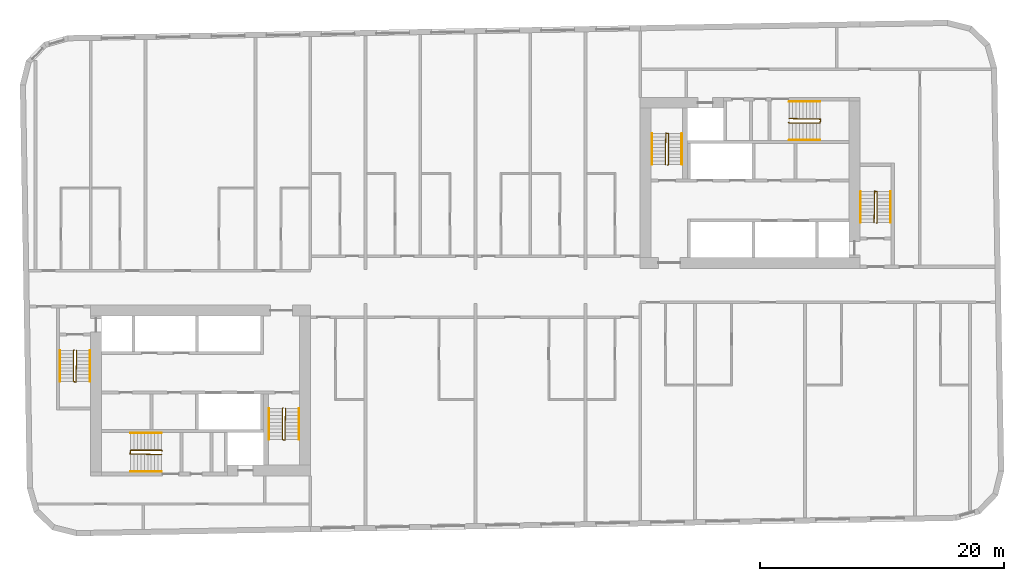
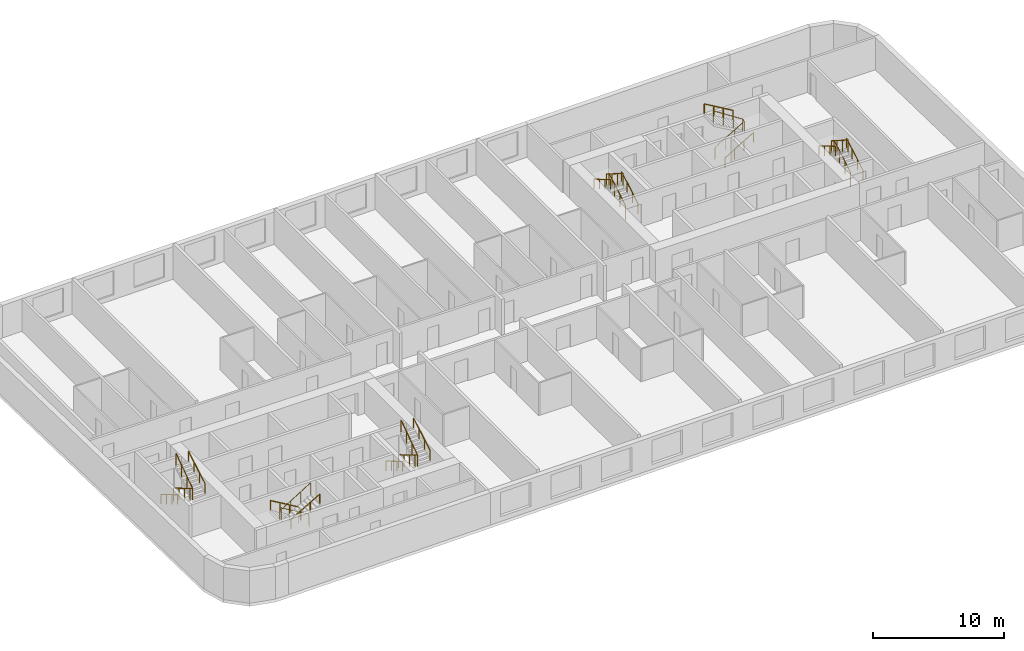
# One storey, part 11 of 11: 18 railings.
"""IFC4 building model written with IfcOpenShell, lengths in metres."""

from ifc_helpers import new_model, si_unit, direction, frame, origin, origin_2d, place, context, subcontext, project, spatial, circle, extrude, material, type_object, element, save


model = new_model("IFC4")

# Units and contexts
model_context = context("Model", 3, precision=1e-05, world=origin(), true_north=direction((0.0, 1.0)))
body_context = subcontext(model_context, "Body", "Model", "MODEL_VIEW")
ifc_project = project(units=[si_unit("LENGTHUNIT", "METRE"), si_unit("AREAUNIT", "SQUARE_METRE"), si_unit("VOLUMEUNIT", "CUBIC_METRE"), si_unit("PLANEANGLEUNIT", "RADIAN"), si_unit("MASSUNIT", "GRAM", prefix="KILO")], contexts=[model_context])

# Site, building, storey
site_placement = place(None, origin())
site = spatial("IfcSite", under=ifc_project, at=site_placement, CompositionType="ELEMENT")
building_placement = place(site_placement, origin())
building = spatial("IfcBuilding", under=site, at=building_placement, Name="Kajstack Hotel Tower", CompositionType="ELEMENT")
storey_placement = place(building_placement, frame((0.0, 0.0, 224.300048828125)))
storey = spatial("IfcBuildingStorey", under=building, at=storey_placement, Name="L54", CompositionType="ELEMENT", Elevation=224.300048828125)

# Railings
ifc_material = material(Name="Steel S355J2", Category="steel")
railing_type_1 = type_object("IfcRailingType", Name="Stair guard 1100", PredefinedType="GUARDRAIL", material=ifc_material)
railing_1_placement = place(storey_placement, frame((-32.85009765625, -5.199951171875, 0.0)))
element("IfcRailing", 1, at=railing_1_placement, inside=storey, type_object=railing_type_1, Name="L54 W1 stair guard 1", PredefinedType="GUARDRAIL", context=body_context, shape_type="SweptSolid", body=[
    extrude(circle(Radius=0.02392578125, at=origin_2d()), frame((0.0, 0.0, 1.076171875), z_axis=(-0.277450376394, -0.278810427259, 0.919394384522), x_axis=(0.708833529934, -0.705375805398, 0.0)), (0.0, 0.0, 1.0), 0.179443359375),
    extrude(circle(Radius=0.02392578125, at=origin_2d()), frame((-0.0498046875, -0.050048828125, 1.2412109375), z_axis=(0.0, -0.861560626758, 0.507654692109), x_axis=(1.0, 0.0, 0.0)), (0.0, 0.0, 1.0), 2.925048828125),
    extrude(circle(Radius=0.02392578125, at=origin_2d()), frame((-0.0498046875, -2.570068359375, 2.72607421875), z_axis=(0.970072785993, -0.242814311512, 0.0), x_axis=(0.242814311512, 0.970072785993, 0.0)), (0.0, 0.0, 1.0), 0.2060546875),
    extrude(circle(Radius=0.02392578125, at=origin_2d()), frame((0.150146484375, -2.6201171875, 2.72607421875), z_axis=(0.016384601254, 0.84136925563, 0.540212292087), x_axis=(-0.999810440751, 0.019470042781, 0.0)), (0.0, 0.0, 1.0), 3.0546875),
    extrude(circle(Radius=0.02099609375, at=origin_2d()), origin(), (0.0, 0.0, 1.0), 1.052001953125),
    extrude(circle(Radius=0.02099609375, at=origin_2d()), frame((-0.0498046875, -0.050048828125, 0.1650390625)), (0.0, 0.0, 1.0), 1.052001953125),
    extrude(circle(Radius=0.02099609375, at=origin_2d()), frame((-0.0498046875, -0.89013671875, 0.659912109375)), (0.0, 0.0, 1.0), 1.052001953125),
    extrude(circle(Radius=0.02099609375, at=origin_2d()), frame((-0.0498046875, -1.72998046875, 1.155029296875)), (0.0, 0.0, 1.0), 1.052001953125),
    extrude(circle(Radius=0.02099609375, at=origin_2d()), frame((-0.0498046875, -2.570068359375, 1.64990234375)), (0.0, 0.0, 1.0), 1.052001953125),
    extrude(circle(Radius=0.02099609375, at=origin_2d()), frame((0.150146484375, -2.6201171875, 1.64990234375)), (0.0, 0.0, 1.0), 1.052001953125),
    extrude(circle(Radius=0.02099609375, at=origin_2d()), frame((0.166748046875, -1.763427734375, 2.199951171875)), (0.0, 0.0, 1.0), 1.052001953125),
    extrude(circle(Radius=0.02099609375, at=origin_2d()), frame((0.18359375, -0.90673828125, 2.75)), (0.0, 0.0, 1.0), 1.052001953125),
    extrude(circle(Radius=0.02099609375, at=origin_2d()), frame((0.2001953125, -0.050048828125, 3.300048828125)), (0.0, 0.0, 1.0), 1.052001953125),
])
railing_2_placement = place(storey_placement, frame((-15.75, -9.949951171875, 0.0)))
element("IfcRailing", 2, at=railing_2_placement, inside=storey, type_object=railing_type_1, Name="L54 W2 stair guard 1", PredefinedType="GUARDRAIL", context=body_context, shape_type="SweptSolid", body=[
    extrude(circle(Radius=0.02392578125, at=origin_2d()), frame((0.0, 0.0, 1.076171875), z_axis=(-0.278705021027, -0.278705021027, 0.919046801044), x_axis=(0.707106781187, -0.707106781187, 0.0)), (0.0, 0.0, 1.0), 0.1796875),
    extrude(circle(Radius=0.02392578125, at=origin_2d()), frame((-0.050048828125, -0.050048828125, 1.2412109375), z_axis=(0.0, -0.861560626758, 0.507654692109), x_axis=(1.0, 0.0, 0.0)), (0.0, 0.0, 1.0), 2.925048828125),
    extrude(circle(Radius=0.02392578125, at=origin_2d()), frame((-0.050048828125, -2.570068359375, 2.72607421875), z_axis=(0.970072785993, -0.242814311512, 0.0), x_axis=(0.242814311512, 0.970072785993, 0.0)), (0.0, 0.0, 1.0), 0.2060546875),
    extrude(circle(Radius=0.02392578125, at=origin_2d()), frame((0.14990234375, -2.6201171875, 2.72607421875), z_axis=(0.016384601254, 0.84136925563, 0.540212292087), x_axis=(-0.999810440751, 0.019470042781, 0.0)), (0.0, 0.0, 1.0), 3.0546875),
    extrude(circle(Radius=0.02099609375, at=origin_2d()), origin(), (0.0, 0.0, 1.0), 1.052001953125),
    extrude(circle(Radius=0.02099609375, at=origin_2d()), frame((-0.050048828125, -0.050048828125, 0.1650390625)), (0.0, 0.0, 1.0), 1.052001953125),
    extrude(circle(Radius=0.02099609375, at=origin_2d()), frame((-0.050048828125, -0.89013671875, 0.659912109375)), (0.0, 0.0, 1.0), 1.052001953125),
    extrude(circle(Radius=0.02099609375, at=origin_2d()), frame((-0.050048828125, -1.72998046875, 1.155029296875)), (0.0, 0.0, 1.0), 1.052001953125),
    extrude(circle(Radius=0.02099609375, at=origin_2d()), frame((-0.050048828125, -2.570068359375, 1.64990234375)), (0.0, 0.0, 1.0), 1.052001953125),
    extrude(circle(Radius=0.02099609375, at=origin_2d()), frame((0.14990234375, -2.6201171875, 1.64990234375)), (0.0, 0.0, 1.0), 1.052001953125),
    extrude(circle(Radius=0.02099609375, at=origin_2d()), frame((0.16650390625, -1.763427734375, 2.199951171875)), (0.0, 0.0, 1.0), 1.052001953125),
    extrude(circle(Radius=0.02099609375, at=origin_2d()), frame((0.183349609375, -0.90673828125, 2.75)), (0.0, 0.0, 1.0), 1.052001953125),
    extrude(circle(Radius=0.02099609375, at=origin_2d()), frame((0.199951171875, -0.050048828125, 3.300048828125)), (0.0, 0.0, 1.0), 1.052001953125),
])
railing_3_placement = place(storey_placement, frame((-25.64990234375, -13.449951171875, 0.0)))
element("IfcRailing", 3, at=railing_3_placement, inside=storey, type_object=railing_type_1, Name="L54 W3 stair guard 1", PredefinedType="GUARDRAIL", context=body_context, shape_type="SweptSolid", body=[
    extrude(circle(Radius=0.02392578125, at=origin_2d()), frame((0.0, 0.0, 1.076171875), z_axis=(-0.278705021027, 0.278705021027, 0.919046801044), x_axis=(-0.707106781187, -0.707106781187, 0.0)), (0.0, 0.0, 1.0), 0.1796875),
    extrude(circle(Radius=0.02392578125, at=origin_2d()), frame((-0.050048828125, 0.050048828125, 1.2412109375), z_axis=(-0.861560626758, 0.0, 0.507654692109), x_axis=(0.0, -1.0, 0.0)), (0.0, 0.0, 1.0), 2.925048828125),
    extrude(circle(Radius=0.02392578125, at=origin_2d()), frame((-2.570068359375, 0.050048828125, 2.72607421875), z_axis=(-0.164529134168, -0.986372223864, 0.0), x_axis=(0.986372223864, -0.164529134168, 0.0)), (0.0, 0.0, 1.0), 0.30419921875),
    extrude(circle(Radius=0.02392578125, at=origin_2d()), frame((-2.6201171875, -0.25, 2.72607421875), z_axis=(0.84136925563, -0.016384601254, 0.540212292087), x_axis=(0.019470042781, 0.999810440751, 0.0)), (0.0, 0.0, 1.0), 3.0546875),
    extrude(circle(Radius=0.02099609375, at=origin_2d()), origin(), (0.0, 0.0, 1.0), 1.052001953125),
    extrude(circle(Radius=0.02099609375, at=origin_2d()), frame((-0.050048828125, 0.050048828125, 0.1650390625)), (0.0, 0.0, 1.0), 1.052001953125),
    extrude(circle(Radius=0.02099609375, at=origin_2d()), frame((-0.89013671875, 0.050048828125, 0.659912109375)), (0.0, 0.0, 1.0), 1.052001953125),
    extrude(circle(Radius=0.02099609375, at=origin_2d()), frame((-1.72998046875, 0.050048828125, 1.155029296875)), (0.0, 0.0, 1.0), 1.052001953125),
    extrude(circle(Radius=0.02099609375, at=origin_2d()), frame((-2.570068359375, 0.050048828125, 1.64990234375)), (0.0, 0.0, 1.0), 1.052001953125),
    extrude(circle(Radius=0.02099609375, at=origin_2d()), frame((-2.6201171875, -0.25, 1.64990234375)), (0.0, 0.0, 1.0), 1.052001953125),
    extrude(circle(Radius=0.02099609375, at=origin_2d()), frame((-1.763427734375, -0.2666015625, 2.199951171875)), (0.0, 0.0, 1.0), 1.052001953125),
    extrude(circle(Radius=0.02099609375, at=origin_2d()), frame((-0.90673828125, -0.283447265625, 2.75)), (0.0, 0.0, 1.0), 1.052001953125),
    extrude(circle(Radius=0.02099609375, at=origin_2d()), frame((-0.050048828125, -0.300048828125, 3.300048828125)), (0.0, 0.0, 1.0), 1.052001953125),
])
railing_4_placement = place(storey_placement, frame((32.85009765625, 5.199951171875, 0.0)))
element("IfcRailing", 4, at=railing_4_placement, inside=storey, type_object=railing_type_1, Name="L54 E1 stair guard 1", PredefinedType="GUARDRAIL", context=body_context, shape_type="SweptSolid", body=[
    extrude(circle(Radius=0.02392578125, at=origin_2d()), frame((0.0, 0.0, 1.076171875), z_axis=(0.277450376394, 0.278810427259, 0.919394384522), x_axis=(-0.708833529934, 0.705375805398, 0.0)), (0.0, 0.0, 1.0), 0.179443359375),
    extrude(circle(Radius=0.02392578125, at=origin_2d()), frame((0.0498046875, 0.050048828125, 1.2412109375), z_axis=(0.0, 0.861560626758, 0.507654692109), x_axis=(-1.0, 0.0, 0.0)), (0.0, 0.0, 1.0), 2.925048828125),
    extrude(circle(Radius=0.02392578125, at=origin_2d()), frame((0.0498046875, 2.570068359375, 2.72607421875), z_axis=(-0.970072785993, 0.242814311512, 0.0), x_axis=(-0.242814311512, -0.970072785993, 0.0)), (0.0, 0.0, 1.0), 0.2060546875),
    extrude(circle(Radius=0.02392578125, at=origin_2d()), frame((-0.150146484375, 2.6201171875, 2.72607421875), z_axis=(-0.016384601254, -0.84136925563, 0.540212292087), x_axis=(0.999810440751, -0.019470042781, 0.0)), (0.0, 0.0, 1.0), 3.0546875),
    extrude(circle(Radius=0.02099609375, at=origin_2d()), origin(), (0.0, 0.0, 1.0), 1.052001953125),
    extrude(circle(Radius=0.02099609375, at=origin_2d()), frame((0.0498046875, 0.050048828125, 0.1650390625)), (0.0, 0.0, 1.0), 1.052001953125),
    extrude(circle(Radius=0.02099609375, at=origin_2d()), frame((0.0498046875, 0.89013671875, 0.659912109375)), (0.0, 0.0, 1.0), 1.052001953125),
    extrude(circle(Radius=0.02099609375, at=origin_2d()), frame((0.0498046875, 1.72998046875, 1.155029296875)), (0.0, 0.0, 1.0), 1.052001953125),
    extrude(circle(Radius=0.02099609375, at=origin_2d()), frame((0.0498046875, 2.570068359375, 1.64990234375)), (0.0, 0.0, 1.0), 1.052001953125),
    extrude(circle(Radius=0.02099609375, at=origin_2d()), frame((-0.150146484375, 2.6201171875, 1.64990234375)), (0.0, 0.0, 1.0), 1.052001953125),
    extrude(circle(Radius=0.02099609375, at=origin_2d()), frame((-0.166748046875, 1.763427734375, 2.199951171875)), (0.0, 0.0, 1.0), 1.052001953125),
    extrude(circle(Radius=0.02099609375, at=origin_2d()), frame((-0.18359375, 0.90673828125, 2.75)), (0.0, 0.0, 1.0), 1.052001953125),
    extrude(circle(Radius=0.02099609375, at=origin_2d()), frame((-0.2001953125, 0.050048828125, 3.300048828125)), (0.0, 0.0, 1.0), 1.052001953125),
])
railing_5_placement = place(storey_placement, frame((15.75, 9.949951171875, 0.0)))
element("IfcRailing", 5, at=railing_5_placement, inside=storey, type_object=railing_type_1, Name="L54 E2 stair guard 1", PredefinedType="GUARDRAIL", context=body_context, shape_type="SweptSolid", body=[
    extrude(circle(Radius=0.02392578125, at=origin_2d()), frame((0.0, 0.0, 1.076171875), z_axis=(0.278705021027, 0.278705021027, 0.919046801044), x_axis=(-0.707106781187, 0.707106781187, 0.0)), (0.0, 0.0, 1.0), 0.1796875),
    extrude(circle(Radius=0.02392578125, at=origin_2d()), frame((0.050048828125, 0.050048828125, 1.2412109375), z_axis=(0.0, 0.861560626758, 0.507654692109), x_axis=(-1.0, 0.0, 0.0)), (0.0, 0.0, 1.0), 2.925048828125),
    extrude(circle(Radius=0.02392578125, at=origin_2d()), frame((0.050048828125, 2.570068359375, 2.72607421875), z_axis=(-0.970072785993, 0.242814311512, 0.0), x_axis=(-0.242814311512, -0.970072785993, 0.0)), (0.0, 0.0, 1.0), 0.2060546875),
    extrude(circle(Radius=0.02392578125, at=origin_2d()), frame((-0.14990234375, 2.6201171875, 2.72607421875), z_axis=(-0.016384601254, -0.84136925563, 0.540212292087), x_axis=(0.999810440751, -0.019470042781, 0.0)), (0.0, 0.0, 1.0), 3.0546875),
    extrude(circle(Radius=0.02099609375, at=origin_2d()), origin(), (0.0, 0.0, 1.0), 1.052001953125),
    extrude(circle(Radius=0.02099609375, at=origin_2d()), frame((0.050048828125, 0.050048828125, 0.1650390625)), (0.0, 0.0, 1.0), 1.052001953125),
    extrude(circle(Radius=0.02099609375, at=origin_2d()), frame((0.050048828125, 0.89013671875, 0.659912109375)), (0.0, 0.0, 1.0), 1.052001953125),
    extrude(circle(Radius=0.02099609375, at=origin_2d()), frame((0.050048828125, 1.72998046875, 1.155029296875)), (0.0, 0.0, 1.0), 1.052001953125),
    extrude(circle(Radius=0.02099609375, at=origin_2d()), frame((0.050048828125, 2.570068359375, 1.64990234375)), (0.0, 0.0, 1.0), 1.052001953125),
    extrude(circle(Radius=0.02099609375, at=origin_2d()), frame((-0.14990234375, 2.6201171875, 1.64990234375)), (0.0, 0.0, 1.0), 1.052001953125),
    extrude(circle(Radius=0.02099609375, at=origin_2d()), frame((-0.16650390625, 1.763427734375, 2.199951171875)), (0.0, 0.0, 1.0), 1.052001953125),
    extrude(circle(Radius=0.02099609375, at=origin_2d()), frame((-0.183349609375, 0.90673828125, 2.75)), (0.0, 0.0, 1.0), 1.052001953125),
    extrude(circle(Radius=0.02099609375, at=origin_2d()), frame((-0.199951171875, 0.050048828125, 3.300048828125)), (0.0, 0.0, 1.0), 1.052001953125),
])
railing_6_placement = place(storey_placement, frame((25.64990234375, 13.449951171875, 0.0)))
element("IfcRailing", 6, at=railing_6_placement, inside=storey, type_object=railing_type_1, Name="L54 E3 stair guard 1", PredefinedType="GUARDRAIL", context=body_context, shape_type="SweptSolid", body=[
    extrude(circle(Radius=0.02392578125, at=origin_2d()), frame((0.0, 0.0, 1.076171875), z_axis=(0.278705021027, -0.278705021027, 0.919046801044), x_axis=(0.707106781187, 0.707106781187, 0.0)), (0.0, 0.0, 1.0), 0.1796875),
    extrude(circle(Radius=0.02392578125, at=origin_2d()), frame((0.050048828125, -0.050048828125, 1.2412109375), z_axis=(0.861560626758, 0.0, 0.507654692109), x_axis=(0.0, 1.0, 0.0)), (0.0, 0.0, 1.0), 2.925048828125),
    extrude(circle(Radius=0.02392578125, at=origin_2d()), frame((2.570068359375, -0.050048828125, 2.72607421875), z_axis=(0.164529134168, 0.986372223864, 0.0), x_axis=(-0.986372223864, 0.164529134168, 0.0)), (0.0, 0.0, 1.0), 0.30419921875),
    extrude(circle(Radius=0.02392578125, at=origin_2d()), frame((2.6201171875, 0.25, 2.72607421875), z_axis=(-0.84136925563, 0.016384601254, 0.540212292087), x_axis=(-0.019470042781, -0.999810440751, 0.0)), (0.0, 0.0, 1.0), 3.0546875),
    extrude(circle(Radius=0.02099609375, at=origin_2d()), origin(), (0.0, 0.0, 1.0), 1.052001953125),
    extrude(circle(Radius=0.02099609375, at=origin_2d()), frame((0.050048828125, -0.050048828125, 0.1650390625)), (0.0, 0.0, 1.0), 1.052001953125),
    extrude(circle(Radius=0.02099609375, at=origin_2d()), frame((0.89013671875, -0.050048828125, 0.659912109375)), (0.0, 0.0, 1.0), 1.052001953125),
    extrude(circle(Radius=0.02099609375, at=origin_2d()), frame((1.72998046875, -0.050048828125, 1.155029296875)), (0.0, 0.0, 1.0), 1.052001953125),
    extrude(circle(Radius=0.02099609375, at=origin_2d()), frame((2.570068359375, -0.050048828125, 1.64990234375)), (0.0, 0.0, 1.0), 1.052001953125),
    extrude(circle(Radius=0.02099609375, at=origin_2d()), frame((2.6201171875, 0.25, 1.64990234375)), (0.0, 0.0, 1.0), 1.052001953125),
    extrude(circle(Radius=0.02099609375, at=origin_2d()), frame((1.763427734375, 0.2666015625, 2.199951171875)), (0.0, 0.0, 1.0), 1.052001953125),
    extrude(circle(Radius=0.02099609375, at=origin_2d()), frame((0.90673828125, 0.283447265625, 2.75)), (0.0, 0.0, 1.0), 1.052001953125),
    extrude(circle(Radius=0.02099609375, at=origin_2d()), frame((0.050048828125, 0.300048828125, 3.300048828125)), (0.0, 0.0, 1.0), 1.052001953125),
])
railing_type_2 = type_object("IfcRailingType", Name="Stair handrail 900", PredefinedType="HANDRAIL", material=ifc_material)
railing_7_placement = place(storey_placement, frame((-34.0, -5.25, 0.1650390625)))
element("IfcRailing", 7, at=railing_7_placement, inside=storey, type_object=railing_type_2, Name="L54 W1 stair handrail 1", PredefinedType="HANDRAIL", context=body_context, shape_type="SweptSolid", body=[
    extrude(circle(Radius=0.02392578125, at=origin_2d()), frame((0.0, 0.0, 0.8759765625), z_axis=(0.0, -0.861560626758, 0.507654692109), x_axis=(1.0, 0.0, 0.0)), (0.0, 0.0, 1.0), 2.925048828125),
    extrude(circle(Radius=0.02099609375, at=origin_2d()), origin(), (0.0, 0.0, 1.0), 0.851806640625),
    extrude(circle(Radius=0.02099609375, at=origin_2d()), frame((0.0, -0.840087890625, 0.494873046875)), (0.0, 0.0, 1.0), 0.851806640625),
    extrude(circle(Radius=0.02099609375, at=origin_2d()), frame((0.0, -1.679931640625, 0.989990234375)), (0.0, 0.0, 1.0), 0.851806640625),
    extrude(circle(Radius=0.02099609375, at=origin_2d()), frame((0.0, -2.52001953125, 1.48486328125)), (0.0, 0.0, 1.0), 0.851806640625),
])
railing_8_placement = place(storey_placement, frame((-31.550048828125, -7.77001953125, 1.81494140625)))
element("IfcRailing", 8, at=railing_8_placement, inside=storey, type_object=railing_type_2, Name="L54 W1 stair handrail 2", PredefinedType="HANDRAIL", context=body_context, shape_type="SweptSolid", body=[
    extrude(circle(Radius=0.02392578125, at=origin_2d()), frame((0.0, 0.0, 0.8759765625), z_axis=(0.0, 0.86152411907, 0.507716645641), x_axis=(-1.0, 0.0, 0.0)), (0.0, 0.0, 1.0), 2.925048828125),
    extrude(circle(Radius=0.02099609375, at=origin_2d()), origin(), (0.0, 0.0, 1.0), 0.851806640625),
    extrude(circle(Radius=0.02099609375, at=origin_2d()), frame((0.0, 0.840087890625, 0.4951171875)), (0.0, 0.0, 1.0), 0.851806640625),
    extrude(circle(Radius=0.02099609375, at=origin_2d()), frame((0.0, 1.679931640625, 0.989990234375)), (0.0, 0.0, 1.0), 0.851806640625),
    extrude(circle(Radius=0.02099609375, at=origin_2d()), frame((0.0, 2.52001953125, 1.485107421875)), (0.0, 0.0, 1.0), 0.851806640625),
])
railing_9_placement = place(storey_placement, frame((-16.89990234375, -10.0, 0.1650390625)))
element("IfcRailing", 9, at=railing_9_placement, inside=storey, type_object=railing_type_2, Name="L54 W2 stair handrail 1", PredefinedType="HANDRAIL", context=body_context, shape_type="SweptSolid", body=[
    extrude(circle(Radius=0.02392578125, at=origin_2d()), frame((0.0, 0.0, 0.8759765625), z_axis=(0.0, -0.861560626758, 0.507654692109), x_axis=(1.0, 0.0, 0.0)), (0.0, 0.0, 1.0), 2.925048828125),
    extrude(circle(Radius=0.02099609375, at=origin_2d()), origin(), (0.0, 0.0, 1.0), 0.851806640625),
    extrude(circle(Radius=0.02099609375, at=origin_2d()), frame((0.0, -0.840087890625, 0.494873046875)), (0.0, 0.0, 1.0), 0.851806640625),
    extrude(circle(Radius=0.02099609375, at=origin_2d()), frame((0.0, -1.679931640625, 0.989990234375)), (0.0, 0.0, 1.0), 0.851806640625),
    extrude(circle(Radius=0.02099609375, at=origin_2d()), frame((0.0, -2.52001953125, 1.48486328125)), (0.0, 0.0, 1.0), 0.851806640625),
])
railing_10_placement = place(storey_placement, frame((-14.449951171875, -12.52001953125, 1.81494140625)))
element("IfcRailing", 10, at=railing_10_placement, inside=storey, type_object=railing_type_2, Name="L54 W2 stair handrail 2", PredefinedType="HANDRAIL", context=body_context, shape_type="SweptSolid", body=[
    extrude(circle(Radius=0.02392578125, at=origin_2d()), frame((0.0, 0.0, 0.8759765625), z_axis=(0.0, 0.86152411907, 0.507716645641), x_axis=(-1.0, 0.0, 0.0)), (0.0, 0.0, 1.0), 2.925048828125),
    extrude(circle(Radius=0.02099609375, at=origin_2d()), origin(), (0.0, 0.0, 1.0), 0.851806640625),
    extrude(circle(Radius=0.02099609375, at=origin_2d()), frame((0.0, 0.840087890625, 0.4951171875)), (0.0, 0.0, 1.0), 0.851806640625),
    extrude(circle(Radius=0.02099609375, at=origin_2d()), frame((0.0, 1.679931640625, 0.989990234375)), (0.0, 0.0, 1.0), 0.851806640625),
    extrude(circle(Radius=0.02099609375, at=origin_2d()), frame((0.0, 2.52001953125, 1.485107421875)), (0.0, 0.0, 1.0), 0.851806640625),
])
railing_11_placement = place(storey_placement, frame((-25.699951171875, -12.0, 0.1650390625)))
element("IfcRailing", 11, at=railing_11_placement, inside=storey, type_object=railing_type_2, Name="L54 W3 stair handrail 1", PredefinedType="HANDRAIL", context=body_context, shape_type="SweptSolid", body=[
    extrude(circle(Radius=0.02392578125, at=origin_2d()), frame((0.0, 0.0, 0.8759765625), z_axis=(-0.861560626758, 0.0, 0.507654692109), x_axis=(0.0, -1.0, 0.0)), (0.0, 0.0, 1.0), 2.925048828125),
    extrude(circle(Radius=0.02099609375, at=origin_2d()), origin(), (0.0, 0.0, 1.0), 0.851806640625),
    extrude(circle(Radius=0.02099609375, at=origin_2d()), frame((-0.840087890625, 0.0, 0.494873046875)), (0.0, 0.0, 1.0), 0.851806640625),
    extrude(circle(Radius=0.02099609375, at=origin_2d()), frame((-1.679931640625, 0.0, 0.989990234375)), (0.0, 0.0, 1.0), 0.851806640625),
    extrude(circle(Radius=0.02099609375, at=origin_2d()), frame((-2.52001953125, 0.0, 1.48486328125)), (0.0, 0.0, 1.0), 0.851806640625),
])
railing_12_placement = place(storey_placement, frame((-28.219970703125, -15.14990234375, 1.81494140625)))
element("IfcRailing", 12, at=railing_12_placement, inside=storey, type_object=railing_type_2, Name="L54 W3 stair handrail 2", PredefinedType="HANDRAIL", context=body_context, shape_type="SweptSolid", body=[
    extrude(circle(Radius=0.02392578125, at=origin_2d()), frame((0.0, 0.0, 0.8759765625), z_axis=(0.86152411907, 0.0, 0.507716645641), x_axis=(0.0, 1.0, 0.0)), (0.0, 0.0, 1.0), 2.925048828125),
    extrude(circle(Radius=0.02099609375, at=origin_2d()), origin(), (0.0, 0.0, 1.0), 0.851806640625),
    extrude(circle(Radius=0.02099609375, at=origin_2d()), frame((0.840087890625, 0.0, 0.4951171875)), (0.0, 0.0, 1.0), 0.851806640625),
    extrude(circle(Radius=0.02099609375, at=origin_2d()), frame((1.679931640625, 0.0, 0.989990234375)), (0.0, 0.0, 1.0), 0.851806640625),
    extrude(circle(Radius=0.02099609375, at=origin_2d()), frame((2.52001953125, 0.0, 1.485107421875)), (0.0, 0.0, 1.0), 0.851806640625),
])
railing_13_placement = place(storey_placement, frame((34.0, 5.25, 0.1650390625)))
element("IfcRailing", 13, at=railing_13_placement, inside=storey, type_object=railing_type_2, Name="L54 E1 stair handrail 1", PredefinedType="HANDRAIL", context=body_context, shape_type="SweptSolid", body=[
    extrude(circle(Radius=0.02392578125, at=origin_2d()), frame((0.0, 0.0, 0.8759765625), z_axis=(0.0, 0.861560626758, 0.507654692109), x_axis=(-1.0, 0.0, 0.0)), (0.0, 0.0, 1.0), 2.925048828125),
    extrude(circle(Radius=0.02099609375, at=origin_2d()), origin(), (0.0, 0.0, 1.0), 0.851806640625),
    extrude(circle(Radius=0.02099609375, at=origin_2d()), frame((0.0, 0.840087890625, 0.494873046875)), (0.0, 0.0, 1.0), 0.851806640625),
    extrude(circle(Radius=0.02099609375, at=origin_2d()), frame((0.0, 1.679931640625, 0.989990234375)), (0.0, 0.0, 1.0), 0.851806640625),
    extrude(circle(Radius=0.02099609375, at=origin_2d()), frame((0.0, 2.52001953125, 1.48486328125)), (0.0, 0.0, 1.0), 0.851806640625),
])
railing_14_placement = place(storey_placement, frame((31.550048828125, 7.77001953125, 1.81494140625)))
element("IfcRailing", 14, at=railing_14_placement, inside=storey, type_object=railing_type_2, Name="L54 E1 stair handrail 2", PredefinedType="HANDRAIL", context=body_context, shape_type="SweptSolid", body=[
    extrude(circle(Radius=0.02392578125, at=origin_2d()), frame((0.0, 0.0, 0.8759765625), z_axis=(0.0, -0.86152411907, 0.507716645641), x_axis=(1.0, 0.0, 0.0)), (0.0, 0.0, 1.0), 2.925048828125),
    extrude(circle(Radius=0.02099609375, at=origin_2d()), origin(), (0.0, 0.0, 1.0), 0.851806640625),
    extrude(circle(Radius=0.02099609375, at=origin_2d()), frame((0.0, -0.840087890625, 0.4951171875)), (0.0, 0.0, 1.0), 0.851806640625),
    extrude(circle(Radius=0.02099609375, at=origin_2d()), frame((0.0, -1.679931640625, 0.989990234375)), (0.0, 0.0, 1.0), 0.851806640625),
    extrude(circle(Radius=0.02099609375, at=origin_2d()), frame((0.0, -2.52001953125, 1.485107421875)), (0.0, 0.0, 1.0), 0.851806640625),
])
railing_15_placement = place(storey_placement, frame((16.89990234375, 10.0, 0.1650390625)))
element("IfcRailing", 15, at=railing_15_placement, inside=storey, type_object=railing_type_2, Name="L54 E2 stair handrail 1", PredefinedType="HANDRAIL", context=body_context, shape_type="SweptSolid", body=[
    extrude(circle(Radius=0.02392578125, at=origin_2d()), frame((0.0, 0.0, 0.8759765625), z_axis=(0.0, 0.861560626758, 0.507654692109), x_axis=(-1.0, 0.0, 0.0)), (0.0, 0.0, 1.0), 2.925048828125),
    extrude(circle(Radius=0.02099609375, at=origin_2d()), origin(), (0.0, 0.0, 1.0), 0.851806640625),
    extrude(circle(Radius=0.02099609375, at=origin_2d()), frame((0.0, 0.840087890625, 0.494873046875)), (0.0, 0.0, 1.0), 0.851806640625),
    extrude(circle(Radius=0.02099609375, at=origin_2d()), frame((0.0, 1.679931640625, 0.989990234375)), (0.0, 0.0, 1.0), 0.851806640625),
    extrude(circle(Radius=0.02099609375, at=origin_2d()), frame((0.0, 2.52001953125, 1.48486328125)), (0.0, 0.0, 1.0), 0.851806640625),
])
railing_16_placement = place(storey_placement, frame((14.449951171875, 12.52001953125, 1.81494140625)))
element("IfcRailing", 16, at=railing_16_placement, inside=storey, type_object=railing_type_2, Name="L54 E2 stair handrail 2", PredefinedType="HANDRAIL", context=body_context, shape_type="SweptSolid", body=[
    extrude(circle(Radius=0.02392578125, at=origin_2d()), frame((0.0, 0.0, 0.8759765625), z_axis=(0.0, -0.86152411907, 0.507716645641), x_axis=(1.0, 0.0, 0.0)), (0.0, 0.0, 1.0), 2.925048828125),
    extrude(circle(Radius=0.02099609375, at=origin_2d()), origin(), (0.0, 0.0, 1.0), 0.851806640625),
    extrude(circle(Radius=0.02099609375, at=origin_2d()), frame((0.0, -0.840087890625, 0.4951171875)), (0.0, 0.0, 1.0), 0.851806640625),
    extrude(circle(Radius=0.02099609375, at=origin_2d()), frame((0.0, -1.679931640625, 0.989990234375)), (0.0, 0.0, 1.0), 0.851806640625),
    extrude(circle(Radius=0.02099609375, at=origin_2d()), frame((0.0, -2.52001953125, 1.485107421875)), (0.0, 0.0, 1.0), 0.851806640625),
])
railing_17_placement = place(storey_placement, frame((25.699951171875, 12.0, 0.1650390625)))
element("IfcRailing", 17, at=railing_17_placement, inside=storey, type_object=railing_type_2, Name="L54 E3 stair handrail 1", PredefinedType="HANDRAIL", context=body_context, shape_type="SweptSolid", body=[
    extrude(circle(Radius=0.02392578125, at=origin_2d()), frame((0.0, 0.0, 0.8759765625), z_axis=(0.861560626758, 0.0, 0.507654692109), x_axis=(0.0, 1.0, 0.0)), (0.0, 0.0, 1.0), 2.925048828125),
    extrude(circle(Radius=0.02099609375, at=origin_2d()), origin(), (0.0, 0.0, 1.0), 0.851806640625),
    extrude(circle(Radius=0.02099609375, at=origin_2d()), frame((0.840087890625, 0.0, 0.494873046875)), (0.0, 0.0, 1.0), 0.851806640625),
    extrude(circle(Radius=0.02099609375, at=origin_2d()), frame((1.679931640625, 0.0, 0.989990234375)), (0.0, 0.0, 1.0), 0.851806640625),
    extrude(circle(Radius=0.02099609375, at=origin_2d()), frame((2.52001953125, 0.0, 1.48486328125)), (0.0, 0.0, 1.0), 0.851806640625),
])
railing_18_placement = place(storey_placement, frame((28.219970703125, 15.14990234375, 1.81494140625)))
element("IfcRailing", 18, at=railing_18_placement, inside=storey, type_object=railing_type_2, Name="L54 E3 stair handrail 2", PredefinedType="HANDRAIL", context=body_context, shape_type="SweptSolid", body=[
    extrude(circle(Radius=0.02392578125, at=origin_2d()), frame((0.0, 0.0, 0.8759765625), z_axis=(-0.86152411907, 0.0, 0.507716645641), x_axis=(0.0, -1.0, 0.0)), (0.0, 0.0, 1.0), 2.925048828125),
    extrude(circle(Radius=0.02099609375, at=origin_2d()), origin(), (0.0, 0.0, 1.0), 0.851806640625),
    extrude(circle(Radius=0.02099609375, at=origin_2d()), frame((-0.840087890625, 0.0, 0.4951171875)), (0.0, 0.0, 1.0), 0.851806640625),
    extrude(circle(Radius=0.02099609375, at=origin_2d()), frame((-1.679931640625, 0.0, 0.989990234375)), (0.0, 0.0, 1.0), 0.851806640625),
    extrude(circle(Radius=0.02099609375, at=origin_2d()), frame((-2.52001953125, 0.0, 1.485107421875)), (0.0, 0.0, 1.0), 0.851806640625),
])

save(model, "model.ifc")
